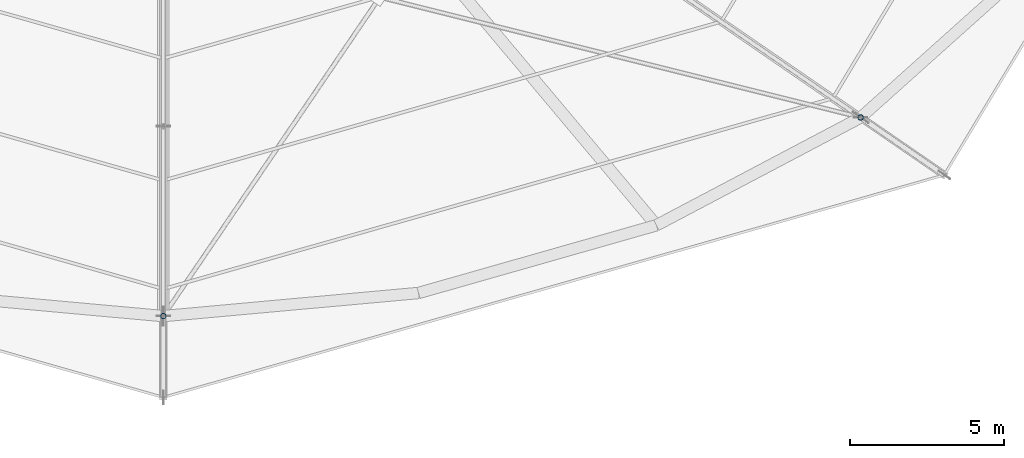
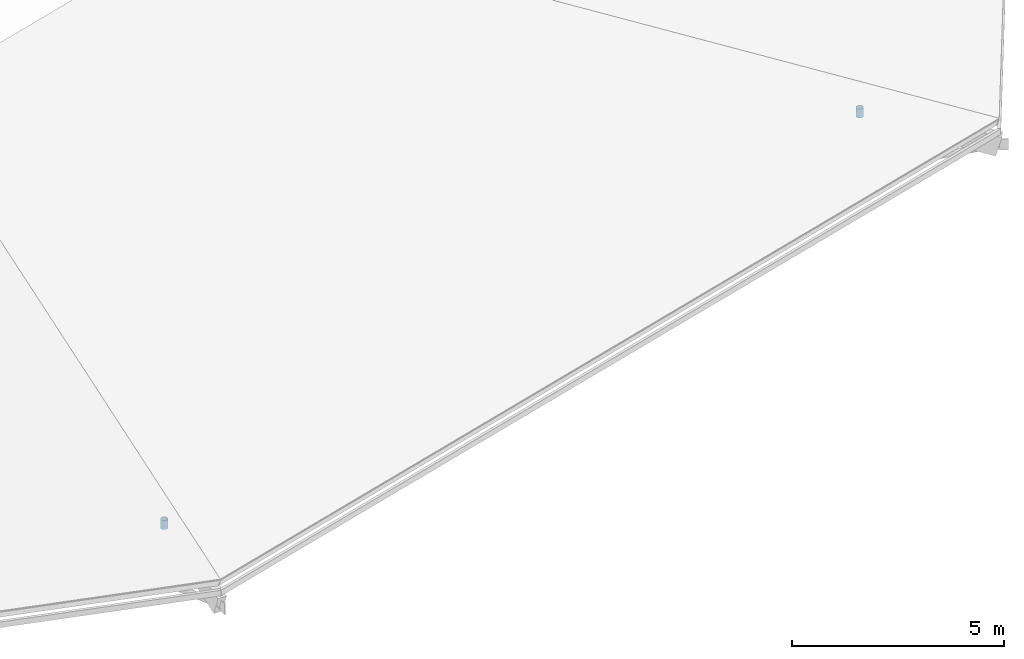
# One storey, part 41 of 66: 2 members.
"""IFC4 building model written with IfcOpenShell, lengths in metres."""

from ifc_helpers import new_model, si_unit, direction, frame, origin, origin_2d, place, context, subcontext, project, spatial, hollow_circle, extrude, material, material_profile, profile_set, type_object, element, save


model = new_model("IFC4")

# Units and contexts
model_context = context("Model", 3, precision=1e-05, world=origin(), true_north=direction((0.0, 1.0)))
body_context = subcontext(model_context, "Body", "Model", "MODEL_VIEW")
ifc_project = project(units=[si_unit("LENGTHUNIT", "METRE"), si_unit("AREAUNIT", "SQUARE_METRE"), si_unit("VOLUMEUNIT", "CUBIC_METRE"), si_unit("PLANEANGLEUNIT", "RADIAN"), si_unit("MASSUNIT", "GRAM", prefix="KILO")], contexts=[model_context])

# Site, building, storey
site_placement = place(None, origin())
site = spatial("IfcSite", under=ifc_project, at=site_placement, CompositionType="ELEMENT")
building_placement = place(site_placement, origin())
building = spatial("IfcBuilding", under=site, at=building_placement, Name="Zornivar Specialist Clinic", CompositionType="ELEMENT")
storey_placement = place(building_placement, frame((0.0, 0.0, 16.0)))
storey = spatial("IfcBuildingStorey", under=building, at=storey_placement, Name="L04", CompositionType="ELEMENT", Elevation=16.0)

# Members
ifc_material = material(Name="Steel S355J2", Category="steel")
ifc_material_profile = material_profile(ifc_material, hollow_circle(Radius=0.0888671875, WallThickness=0.010009765625, at=origin_2d()), Name="CHS 177.8x10")
ifc_profile_set = profile_set([ifc_material_profile], Name="Steel S355J2")
member_type = type_object("IfcMemberType", Name="MEM-STRUT-CHS178", PredefinedType="STRUT", material=ifc_profile_set)
for number, where, z_axis, x_axis, name in (
    (1, (93.60009765625, 35.60009765625, -0.080078125), (0.0, 0.0, 1.0), (1.0, 0.0, 0.0), "mem:V1:L04:post:out:6"),
    (2, (116.22705078125, 42.0439453125, -0.080078125), (0.0, 0.0, 1.0), (1.0, 0.0, 0.0), "mem:V1:L04:post:out:7"),
):
    element("IfcMember", number, at=place(storey_placement, frame(where, z_axis=z_axis, x_axis=x_axis)), inside=storey, type_object=member_type, Name=name, PredefinedType="STRUT", context=body_context, shape_type="SweptSolid", body=[
        extrude(hollow_circle(Radius=0.0888671875, WallThickness=0.010009765625, at=origin_2d()), origin(), (0.0, 0.0, 1.0), 0.257080078125),
    ])

save(model, "model.ifc")
